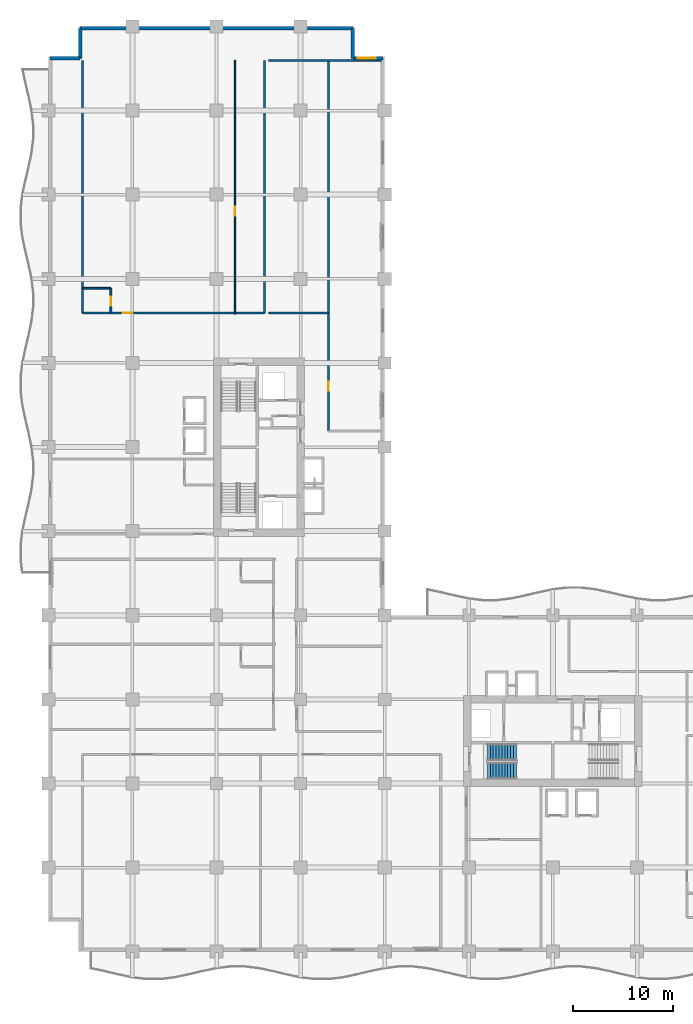
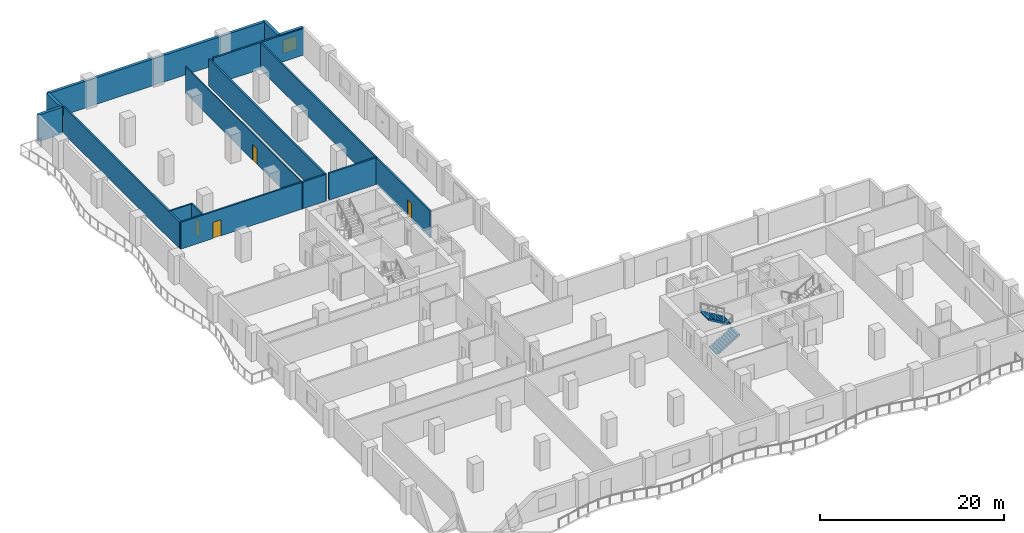
# One storey, part 9 of 15: 14 walls, 4 doors, 2 stair flights, 1 window, 5 openings, 1 element without a shape of its own.
"""IFC4 building model written with IfcOpenShell, lengths in metres."""

from ifc_helpers import new_model, si_unit, direction, frame, frame_2d, origin, place, context, subcontext, project, spatial, polyline, rectangle, outline, extrude, material, layer, layer_set, type_object, element, fill, aggregate, save


model = new_model("IFC4")

# Units and contexts
model_context = context("Model", 3, precision=1e-05, world=origin(), true_north=direction((0.0, 1.0)))
body_context = subcontext(model_context, "Body", "Model", "MODEL_VIEW")
ifc_project = project(units=[si_unit("LENGTHUNIT", "METRE"), si_unit("AREAUNIT", "SQUARE_METRE"), si_unit("VOLUMEUNIT", "CUBIC_METRE"), si_unit("PLANEANGLEUNIT", "RADIAN"), si_unit("MASSUNIT", "GRAM", prefix="KILO")], contexts=[model_context])

# Site, building, storey
site_placement = place(None, origin())
site = spatial("IfcSite", under=ifc_project, at=site_placement, CompositionType="ELEMENT")
building_placement = place(site_placement, origin())
building = spatial("IfcBuilding", under=site, at=building_placement, Name="Koriwani Terraces Tower", CompositionType="ELEMENT")
storey_placement = place(building_placement, frame((0.0, 0.0, 138.0)))
storey = spatial("IfcBuildingStorey", under=building, at=storey_placement, Name="L33", CompositionType="ELEMENT", Elevation=138.0)

# Wall, opening, door
ifc_material_1 = material(Name="Autoclaved Cellular Concrete Blockwork", Category="masonry")
ifc_layer_1 = layer(ifc_material_1, 0.199951171875, Name="Autoclaved Cellular Concrete Blockwork")
ifc_layer_set_1 = layer_set([ifc_layer_1], Name="Autoclaved Cellular Concrete Blockwork")
wall_type_1 = type_object("IfcWallType", Name="WALL_CORRIDOR_200", PredefinedType="PARTITIONING", material=ifc_layer_set_1)
wall_1_placement = place(storey_placement, frame((3.39990234375, 63.800048828125, 0.0), z_axis=(0.0, 0.0, 1.0), x_axis=(1.0, 0.0, 0.0)))
wall_1 = element("IfcWall", 1, at=wall_1_placement, inside=storey, type_object=wall_type_1, Name="L33 Interior Wall WGB-L33-NWTIP-S", PredefinedType="PARTITIONING", context=body_context, shape_type="SweptSolid", body=[
    extrude(rectangle(XDim=18.2001953125, YDim=0.199951171875, at=frame_2d((9.10009765625, 0.0))), origin(), (0.0, 0.0, 1.0), 3.550048828125),
])
opening_1_placement = place(wall_1_placement, frame((4.050048828125, 0.0, 0.0)))
opening_1 = element("IfcOpeningElement", 2, at=opening_1_placement, cuts=wall_1, Name="Opening D-05", PredefinedType="OPENING", context=body_context, shape_type="SweptSolid", body=[
    extrude(rectangle(XDim=1.0, YDim=2.14990234375, at=frame_2d((0.5, 1.074951171875))), frame((0.0, 0.10986328125, 0.0), z_axis=(0.0, -1.0, 0.0), x_axis=(1.0, 0.0, 0.0)), (0.0, 0.0, 1.0), 0.219970703125),
])
ifc_material_2 = material(Name="Architectural Oak Fire Door", Category="wood")
door_type_1 = type_object("IfcDoorType", Name="DOOR_SUITE_ENTRY_1000X2150", OperationType="NOTDEFINED", PredefinedType="DOOR", material=ifc_material_2)
door_1_placement = place(opening_1_placement, origin())
door_1 = element("IfcDoor", 3, at=door_1_placement, inside=storey, type_object=door_type_1, Name="Presidential Suite 33NT Entrance Door", OperationType="SINGLE_SWING_LEFT", OverallHeight=2.14990234375, OverallWidth=1.0, PredefinedType="DOOR", context=body_context, shape_type="SweptSolid", body=[
    extrude(rectangle(XDim=1.0, YDim=2.14990234375, at=frame_2d((0.5, 1.074951171875))), frame((0.0, 0.02490234375, 0.0), z_axis=(0.0, -1.0, 0.0), x_axis=(1.0, 0.0, 0.0)), (0.0, 0.0, 1.0), 0.050048828125),
])
fill(opening_1, door_1)

wall_2_placement = place(storey_placement, frame((28.0, 52.0, 0.0), z_axis=(0.0, 0.0, 1.0), x_axis=(0.0, 1.0, 0.0)))
wall_2 = element("IfcWall", 4, at=wall_2_placement, inside=storey, type_object=wall_type_1, Name="L33 Interior Wall WNWT2-W-L33", PredefinedType="PARTITIONING", context=body_context, shape_type="SweptSolid", body=[
    extrude(rectangle(XDim=37.0, YDim=0.199951171875, at=frame_2d((18.5, 0.0))), origin(), (0.0, 0.0, 1.0), 3.550048828125),
])
opening_2_placement = place(wall_2_placement, frame((4.0, 0.0, 0.0)))
opening_2 = element("IfcOpeningElement", 5, at=opening_2_placement, cuts=wall_2, Name="Opening D-06", PredefinedType="OPENING", context=body_context, shape_type="SweptSolid", body=[
    extrude(rectangle(XDim=0.919921875, YDim=2.10009765625, at=frame_2d((0.4599609375, 1.050048828125))), frame((0.0, 0.10986328125, 0.0), z_axis=(0.0, -1.0, 0.0), x_axis=(1.0, 0.0, 0.0)), (0.0, 0.0, 1.0), 0.219970703125),
])
door_type_2 = type_object("IfcDoorType", Name="DOOR_ROOM_INT_920X2100", OperationType="NOTDEFINED", PredefinedType="DOOR", material=ifc_material_2)
door_2_placement = place(opening_2_placement, origin())
door_2 = element("IfcDoor", 6, at=door_2_placement, inside=storey, type_object=door_type_2, Name="L33 North Court Lounge Door", OperationType="SINGLE_SWING_RIGHT", OverallHeight=2.10009765625, OverallWidth=0.919921875, PredefinedType="DOOR", context=body_context, shape_type="SweptSolid", body=[
    extrude(rectangle(XDim=0.919921875, YDim=2.10009765625, at=frame_2d((0.4599609375, 1.050048828125))), frame((0.0, 0.02490234375, 0.0), z_axis=(0.0, -1.0, 0.0), x_axis=(1.0, 0.0, 0.0)), (0.0, 0.0, 1.0), 0.050048828125),
])
fill(opening_2, door_2)

# Walls
ifc_layer_2 = layer(ifc_material_1, 0.219970703125, Name="Autoclaved Cellular Concrete Blockwork")
ifc_layer_set_2 = layer_set([ifc_layer_2], Name="Autoclaved Cellular Concrete Blockwork")
wall_type_2 = type_object("IfcWallType", Name="WALL_DEMISING_220", PredefinedType="PARTITIONING", material=ifc_layer_set_2)
for number, where, z_axis, x_axis, name in (
    (7, (21.60009765625, 63.800048828125, 0.0), (0.0, 0.0, 1.0), (0.0, 1.0, 0.0), "L33 Interior Wall WGB-L33-NWTIP-E"),
    (8, (3.39990234375, 63.800048828125, 0.0), (0.0, 0.0, 1.0), (0.0, 1.0, 0.0), "L33 Interior Wall WGB-L33-NWTIP-W"),
):
    element("IfcWall", number, at=place(storey_placement, frame(where, z_axis=z_axis, x_axis=x_axis)), inside=storey, type_object=wall_type_2, Name=name, PredefinedType="PARTITIONING", context=body_context, shape_type="SweptSolid", body=[
        extrude(rectangle(XDim=25.199951171875, YDim=0.219970703125, at=frame_2d((12.60009765625, 0.0))), origin(), (0.0, 0.0, 1.0), 3.550048828125),
    ])
wall_3_placement = place(storey_placement, frame((22.0, 89.0, 0.0), z_axis=(0.0, 0.0, 1.0), x_axis=(1.0, 0.0, 0.0)))
element("IfcWall", 9, at=wall_3_placement, inside=storey, type_object=wall_type_2, Name="L33 Interior Wall WNWT2-N-L33", PredefinedType="PARTITIONING", context=body_context, shape_type="SweptSolid", body=[
    extrude(rectangle(XDim=11.300048828125, YDim=0.219970703125, at=frame_2d((5.64990234375, 0.0))), origin(), (0.0, 0.0, 1.0), 3.550048828125),
])
wall_4_placement = place(storey_placement, frame((22.0, 63.800048828125, 0.0), z_axis=(0.0, 0.0, 1.0), x_axis=(1.0, 0.0, 0.0)))
element("IfcWall", 10, at=wall_4_placement, inside=storey, type_object=wall_type_2, Name="L33 Interior Wall WNWT2-WS-L33", PredefinedType="PARTITIONING", context=body_context, shape_type="SweptSolid", body=[
    extrude(rectangle(XDim=6.0, YDim=0.219970703125, at=frame_2d((3.0, 0.0))), origin(), (0.0, 0.0, 1.0), 3.550048828125),
])
ifc_material_3 = material(Name="Concrete C50/60", Category="concrete")
ifc_layer_3 = layer(ifc_material_3, 0.35009765625, Name="Concrete C50/60")
ifc_layer_set_3 = layer_set([ifc_layer_3], Name="Concrete C50/60")
wall_type_3 = type_object("IfcWallType", Name="WALL_EXT_BRUTALIST_350", PredefinedType="STANDARD", material=ifc_layer_set_3)
for number, where, z_axis, x_axis, name in (
    (11, (0.175048828125, 89.22509765625, 0.0), (0.0, 0.0, 1.0), (1.0, 0.0, 0.0), "L33 Fair-Faced Brutalist Exterior Wall (N3)"),
    (12, (3.175048828125, 89.22509765625, 0.0), (0.0, 0.0, 1.0), (0.0, 1.0, 0.0), "L33 Fair-Faced Brutalist Exterior Wall (N4)"),
):
    element("IfcWall", number, at=place(storey_placement, frame(where, z_axis=z_axis, x_axis=x_axis)), inside=storey, type_object=wall_type_3, Name=name, PredefinedType="STANDARD", context=body_context, shape_type="SweptSolid", body=[
        extrude(rectangle(XDim=3.0, YDim=0.35009765625, at=frame_2d((1.5, 0.0))), origin(), (0.0, 0.0, 1.0), 3.550048828125),
    ])
wall_5_placement = place(storey_placement, frame((3.175048828125, 92.22509765625, 0.0), z_axis=(0.0, 0.0, 1.0), x_axis=(1.0, 0.0, 0.0)))
element("IfcWall", 13, at=wall_5_placement, inside=storey, type_object=wall_type_3, Name="L33 Fair-Faced Brutalist Exterior Wall (N_TIP)", PredefinedType="STANDARD", context=body_context, shape_type="SweptSolid", body=[
    extrude(rectangle(XDim=27.25, YDim=0.35009765625, at=frame_2d((13.625, 0.0))), origin(), (0.0, 0.0, 1.0), 3.550048828125),
])
wall_6_placement = place(storey_placement, frame((30.425048828125, 92.22509765625, 0.0), z_axis=(0.0, 0.0, 1.0), x_axis=(0.0, -1.0, 0.0)))
element("IfcWall", 14, at=wall_6_placement, inside=storey, type_object=wall_type_3, Name="L33 Fair-Faced Brutalist Exterior Wall (N6)", PredefinedType="STANDARD", context=body_context, shape_type="SweptSolid", body=[
    extrude(rectangle(XDim=3.0, YDim=0.35009765625, at=frame_2d((1.5, 0.0))), origin(), (0.0, 0.0, 1.0), 3.550048828125),
])

# Wall, opening, window
wall_7_placement = place(storey_placement, frame((30.425048828125, 89.22509765625, 0.0), z_axis=(0.0, 0.0, 1.0), x_axis=(1.0, 0.0, 0.0)))
wall_7 = element("IfcWall", 15, at=wall_7_placement, inside=storey, type_object=wall_type_3, Name="L33 Fair-Faced Brutalist Exterior Wall (N7)", PredefinedType="STANDARD", context=body_context, shape_type="SweptSolid", body=[
    extrude(rectangle(XDim=3.0, YDim=0.35009765625, at=frame_2d((1.5, 0.0))), origin(), (0.0, 0.0, 1.0), 3.550048828125),
])
opening_3_placement = place(wall_7_placement, frame((0.487548828125, 0.0, 0.85009765625)))
opening_3 = element("IfcOpeningElement", 16, at=opening_3_placement, cuts=wall_7, Name="Opening W-04", PredefinedType="OPENING", context=body_context, shape_type="SweptSolid", body=[
    extrude(rectangle(XDim=1.800048828125, YDim=1.800048828125, at=frame_2d((0.89990234375, 0.89990234375))), frame((0.0, 0.18505859375, 0.0), z_axis=(0.0, -1.0, 0.0), x_axis=(1.0, 0.0, 0.0)), (0.0, 0.0, 1.0), 0.3701171875),
])
ifc_material_4 = material(Name="Tempered Laminated Low-E Glass", Category="glass")
window_type = type_object("IfcWindowType", Name="WIN_RES_BED_1800X1800", PartitioningType="DOUBLE_PANEL_VERTICAL", PredefinedType="WINDOW", material=ifc_material_4)
window_placement = place(opening_3_placement, origin())
window = element("IfcWindow", 17, at=window_placement, inside=storey, type_object=window_type, Name="L33 Exterior Window (N7-R40)", OverallHeight=1.800048828125, OverallWidth=1.800048828125, PartitioningType="SINGLE_PANEL", PredefinedType="WINDOW", context=body_context, shape_type="SweptSolid", body=[
    extrude(rectangle(XDim=1.800048828125, YDim=1.800048828125, at=frame_2d((0.89990234375, 0.89990234375))), frame((0.0, 0.030029296875, 0.0), z_axis=(0.0, -1.0, 0.0), x_axis=(1.0, 0.0, 0.0)), (0.0, 0.0, 1.0), 0.06005859375),
])
fill(opening_3, window)

# Wall, opening, door
ifc_material_5 = material(Name="Fire-Rated Acoustic Gypsum Partition", Category="masonry")
ifc_layer_4 = layer(ifc_material_5, 0.125, Name="Fire-Rated Acoustic Gypsum Partition")
ifc_layer_set_4 = layer_set([ifc_layer_4], Name="Fire-Rated Acoustic Gypsum Partition")
wall_type_4 = type_object("IfcWallType", Name="WALL_INT_125", PredefinedType="PARTITIONING", material=ifc_layer_set_4)
wall_8_placement = place(storey_placement, frame((18.64990234375, 63.64990234375, 0.0), z_axis=(0.0, 0.0, 1.0), x_axis=(0.0, 1.0, 0.0)))
wall_8 = element("IfcWall", 18, at=wall_8_placement, inside=storey, type_object=wall_type_4, Name="L33 Interior Wall WGB-L33-NWTIP-BD", PredefinedType="PARTITIONING", context=body_context, shape_type="SweptSolid", body=[
    extrude(rectangle(XDim=25.400146484375, YDim=0.125, at=frame_2d((12.7001953125, 0.0))), origin(), (0.0, 0.0, 1.0), 3.550048828125),
])
opening_4_placement = place(wall_8_placement, frame((9.840087890625, 0.0, 0.0)))
opening_4 = element("IfcOpeningElement", 19, at=opening_4_placement, cuts=wall_8, Name="Opening D-06", PredefinedType="OPENING", context=body_context, shape_type="SweptSolid", body=[
    extrude(rectangle(XDim=0.919921875, YDim=2.10009765625, at=frame_2d((0.4599609375, 1.050048828125))), frame((0.0, 0.072509765625, 0.0), z_axis=(0.0, -1.0, 0.0), x_axis=(1.0, 0.0, 0.0)), (0.0, 0.0, 1.0), 0.14501953125),
])
door_3_placement = place(opening_4_placement, origin())
door_3 = element("IfcDoor", 20, at=door_3_placement, inside=storey, type_object=door_type_2, Name="Presidential Suite 33NT Master Suite Door", OperationType="SINGLE_SWING_LEFT", OverallHeight=2.10009765625, OverallWidth=0.919921875, PredefinedType="DOOR", context=body_context, shape_type="SweptSolid", body=[
    extrude(rectangle(XDim=0.919921875, YDim=2.10009765625, at=frame_2d((0.4599609375, 1.050048828125))), frame((0.0, 0.02490234375, 0.0), z_axis=(0.0, -1.0, 0.0), x_axis=(1.0, 0.0, 0.0)), (0.0, 0.0, 1.0), 0.050048828125),
])
fill(opening_4, door_3)

ifc_layer_5 = layer(ifc_material_5, 0.179931640625, Name="Fire-Rated Acoustic Gypsum Partition")
ifc_layer_set_5 = layer_set([ifc_layer_5], Name="Fire-Rated Acoustic Gypsum Partition")
wall_type_5 = type_object("IfcWallType", Name="WALL_PLUMBING_180", PredefinedType="PLUMBINGWALL", material=ifc_layer_set_5)
wall_9_placement = place(storey_placement, frame((6.25, 63.85009765625, 0.0), z_axis=(0.0, 0.0, 1.0), x_axis=(0.0, 1.0, 0.0)))
wall_9 = element("IfcWall", 21, at=wall_9_placement, inside=storey, type_object=wall_type_5, Name="L33 Interior Wall WGB-L33-NWTIP-SVB", PredefinedType="PLUMBINGWALL", context=body_context, shape_type="SweptSolid", body=[
    extrude(rectangle(XDim=2.39990234375, YDim=0.179931640625, at=frame_2d((1.199951171875, 0.0))), origin(), (0.0, 0.0, 1.0), 3.550048828125),
])
opening_5_placement = place(wall_9_placement, frame((0.64990234375, 0.0, 0.0)))
opening_5 = element("IfcOpeningElement", 22, at=opening_5_placement, cuts=wall_9, Name="Opening D-07", PredefinedType="OPENING", context=body_context, shape_type="SweptSolid", body=[
    extrude(rectangle(XDim=0.89990234375, YDim=2.10009765625, at=frame_2d((0.449951171875, 1.050048828125))), frame((0.0, 0.10009765625, 0.0), z_axis=(0.0, -1.0, 0.0), x_axis=(1.0, 0.0, 0.0)), (0.0, 0.0, 1.0), 0.199951171875),
])
door_type_3 = type_object("IfcDoorType", Name="DOOR_BATH_INT_900X2100", OperationType="NOTDEFINED", PredefinedType="DOOR", material=ifc_material_2)
door_4_placement = place(opening_5_placement, origin())
door_4 = element("IfcDoor", 23, at=door_4_placement, inside=storey, type_object=door_type_3, Name="Presidential Suite 33NT Bathroom Door", OperationType="SINGLE_SWING_RIGHT", OverallHeight=2.10009765625, OverallWidth=0.89990234375, PredefinedType="DOOR", context=body_context, shape_type="SweptSolid", body=[
    extrude(rectangle(XDim=0.89990234375, YDim=2.10009765625, at=frame_2d((0.449951171875, 1.050048828125))), frame((0.0, 0.02490234375, 0.0), z_axis=(0.0, -1.0, 0.0), x_axis=(1.0, 0.0, 0.0)), (0.0, 0.0, 1.0), 0.050048828125),
])
fill(opening_5, door_4)

# Wall
wall_10_placement = place(storey_placement, frame((3.449951171875, 66.25, 0.0), z_axis=(0.0, 0.0, 1.0), x_axis=(1.0, 0.0, 0.0)))
element("IfcWall", 24, at=wall_10_placement, inside=storey, type_object=wall_type_5, Name="L33 Interior Wall WGB-L33-NWTIP-SV2", PredefinedType="PLUMBINGWALL", context=body_context, shape_type="SweptSolid", body=[
    extrude(rectangle(XDim=2.800048828125, YDim=0.179931640625, at=frame_2d((1.39990234375, 0.0))), origin(), (0.0, 0.0, 1.0), 3.550048828125),
])

# Stair, stair flights
ifc_material_6 = material(Name="Concrete C40/50", Category="concrete")
stair_type = type_object("IfcStairType", Name="STAIR_CORE_DOGLEG_1650", PredefinedType="TWO_STRAIGHT_RUN_STAIR", material=ifc_material_6)
stair_placement = place(storey_placement, origin())
stair = element("IfcStair", 25, at=stair_placement, inside=storey, type_object=stair_type, Name="L33 East Core Exit Stair 1", PredefinedType="HALF_TURN_STAIR")
stair_flight_type = type_object("IfcStairFlightType", Name="STAIR_FLIGHT_RC_1650", PredefinedType="STRAIGHT", material=ifc_material_6)
stair_flight_1_placement = place(storey_placement, frame((43.85009765625, 18.074951171875, 0.0), z_axis=(0.0, 0.0, 1.0), x_axis=(1.0, 0.0, 0.0)))
stair_flight_1 = element("IfcStairFlight", 26, at=stair_flight_1_placement, type_object=stair_flight_type, Name="ST-E1 flight 1", NumberOfRisers=11, NumberOfTreads=10, PredefinedType="STRAIGHT", RiserHeight=0.172727273, TreadLength=0.29, context=body_context, shape_type="SweptSolid", body=[
    extrude(outline(polyline([(0.0, 0.0), (0.0, 0.172607421875), (0.2900390625, 0.172607421875), (0.2900390625, 0.345458984375), (0.580078125, 0.345458984375), (0.580078125, 0.51806640625), (0.8701171875, 0.51806640625), (0.8701171875, 0.69091796875), (1.159912109375, 0.69091796875), (1.159912109375, 0.863525390625), (1.449951171875, 0.863525390625), (1.449951171875, 1.036376953125), (1.739990234375, 1.036376953125), (1.739990234375, 1.208984375), (2.030029296875, 1.208984375), (2.030029296875, 1.3818359375), (2.320068359375, 1.3818359375), (2.320068359375, 1.554443359375), (2.610107421875, 1.554443359375), (2.610107421875, 1.727294921875), (2.89990234375, 1.727294921875), (2.89990234375, 1.89990234375), (2.89990234375, 1.517822265625), (0.3515625, 0.0), (0.0, 0.0)])), frame((0.0, 0.824951171875, 0.0), z_axis=(0.0, -1.0, 0.0), x_axis=(1.0, 0.0, 0.0)), (0.0, 0.0, 1.0), 1.64990234375),
])
stair_flight_2_placement = place(storey_placement, frame((46.75, 19.925048828125, 1.89990234375), z_axis=(0.0, 0.0, 1.0), x_axis=(-1.0, 0.0, 0.0)))
stair_flight_2 = element("IfcStairFlight", 27, at=stair_flight_2_placement, type_object=stair_flight_type, Name="ST-E1 flight 2", NumberOfRisers=11, NumberOfTreads=10, PredefinedType="STRAIGHT", RiserHeight=0.172727273, TreadLength=0.29, context=body_context, shape_type="SweptSolid", body=[
    extrude(outline(polyline([(0.0, 0.0), (0.0, 0.172607421875), (0.2900390625, 0.172607421875), (0.2900390625, 0.345458984375), (0.580078125, 0.345458984375), (0.580078125, 0.51806640625), (0.8701171875, 0.51806640625), (0.8701171875, 0.69091796875), (1.159912109375, 0.69091796875), (1.159912109375, 0.863525390625), (1.449951171875, 0.863525390625), (1.449951171875, 1.036376953125), (1.739990234375, 1.036376953125), (1.739990234375, 1.208984375), (2.030029296875, 1.208984375), (2.030029296875, 1.3818359375), (2.320068359375, 1.3818359375), (2.320068359375, 1.554443359375), (2.610107421875, 1.554443359375), (2.610107421875, 1.727294921875), (2.89990234375, 1.727294921875), (2.89990234375, 1.89990234375), (2.89990234375, 1.517822265625), (0.3515625, 0.0), (0.0, 0.0)])), frame((0.0, 0.824951171875, 0.0), z_axis=(0.0, -1.0, 0.0), x_axis=(1.0, 0.0, 0.0)), (0.0, 0.0, 1.0), 1.64990234375),
])
aggregate(stair, [stair_flight_1, stair_flight_2])

save(model, "model.ifc")
